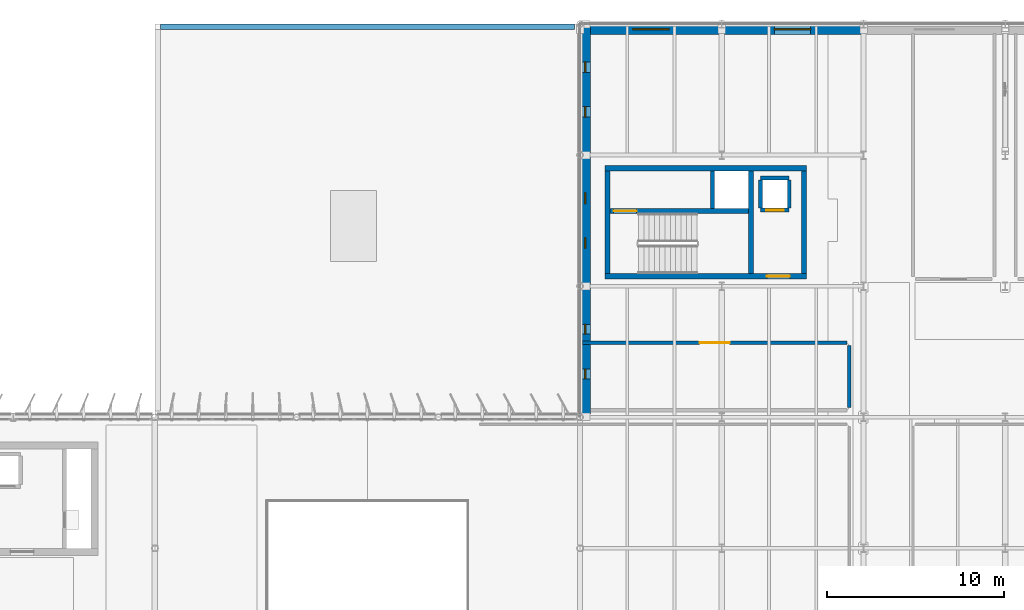
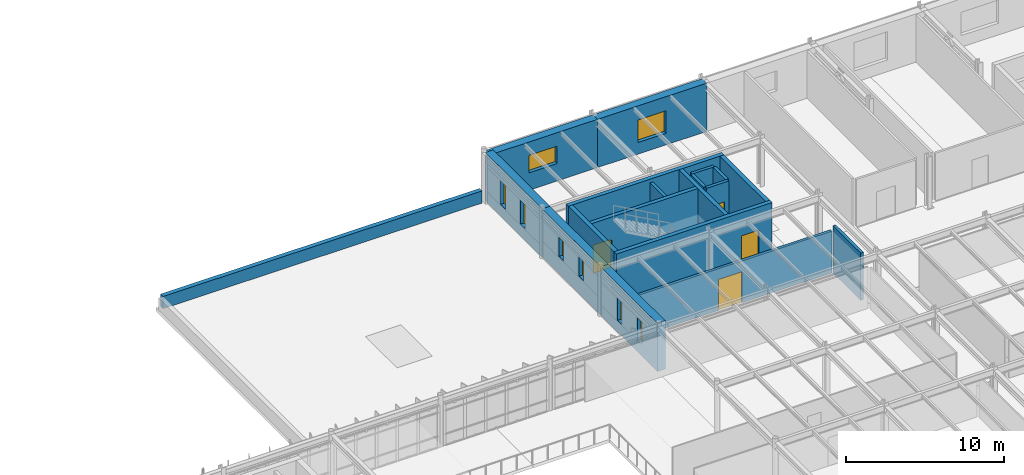
# One storey, part 40 of 56: 19 walls, 8 windows, 4 doors, 12 openings.
"""IFC4 building model written with IfcOpenShell, lengths in metres."""

from ifc_helpers import new_model, si_unit, direction, frame, frame_2d, origin, place, context, subcontext, project, spatial, rectangle, extrude, material, layer, layer_set, type_object, element, fill, save


model = new_model("IFC4")

# Units and contexts
model_context = context("Model", 3, precision=1e-05, world=origin(), true_north=direction((0.0, 1.0)))
body_context = subcontext(model_context, "Body", "Model", "MODEL_VIEW")
ifc_project = project(units=[si_unit("LENGTHUNIT", "METRE"), si_unit("AREAUNIT", "SQUARE_METRE"), si_unit("VOLUMEUNIT", "CUBIC_METRE"), si_unit("PLANEANGLEUNIT", "RADIAN"), si_unit("MASSUNIT", "GRAM", prefix="KILO")], contexts=[model_context])

# Site, building, storey
site_placement = place(None, origin())
site = spatial("IfcSite", under=ifc_project, at=site_placement, CompositionType="ELEMENT")
building_placement = place(site_placement, origin())
building = spatial("IfcBuilding", under=site, at=building_placement, Name="Valkorina Park Police Headquarters", CompositionType="ELEMENT")
storey_placement = place(building_placement, frame((0.0, 0.0, 14.10009765625)))
storey = spatial("IfcBuildingStorey", under=building, at=storey_placement, Name="L04", CompositionType="ELEMENT", Elevation=14.10009765625)

# Wall, opening, door
ifc_material_1 = material(Name="Autoclaved aerated concrete masonry", Category="masonry")
ifc_layer_1 = layer(ifc_material_1, 0.219970703125)
ifc_layer_set_1 = layer_set([ifc_layer_1], Name="Autoclaved aerated concrete masonry")
wall_type_1 = type_object("IfcWallType", Name="WL-CHASE-220-EI60", PredefinedType="PLUMBINGWALL", material=ifc_layer_set_1)
wall_1_placement = place(storey_placement, frame((90.989990234375, 70.889892578125, 0.0), z_axis=(0.0, 0.0, 1.0), x_axis=(1.0, 0.0, 0.0)))
wall_1 = element("IfcWall", 1, at=wall_1_placement, inside=storey, type_object=wall_type_1, Name="Lift LF-08 L04 Shaft Front Wall", PredefinedType="PLUMBINGWALL", context=body_context, shape_type="SweptSolid", body=[
    extrude(rectangle(XDim=1.6201171875, YDim=0.219970703125, at=frame_2d((0.81005859375, 0.0))), origin(), (0.0, 0.0, 1.0), 3.719970703125),
])
opening_1_placement = place(wall_1_placement, frame((0.31005859375, 0.0, 0.0)))
opening_1 = element("IfcOpeningElement", 2, at=opening_1_placement, cuts=wall_1, Name="Opening LD-02", PredefinedType="OPENING", context=body_context, shape_type="SweptSolid", body=[
    extrude(rectangle(XDim=1.0, YDim=2.199951171875, at=frame_2d((0.5, 1.10009765625))), frame((0.0, 0.1201171875, 0.0), z_axis=(0.0, -1.0, 0.0), x_axis=(1.0, 0.0, 0.0)), (0.0, 0.0, 1.0), 0.239990234375),
])
ifc_material_2 = material(Name="Stainless steel EN 1.4404", Category="steel")
ifc_layer_2 = layer(ifc_material_2, 0.050048828125)
ifc_layer_set_2 = layer_set([ifc_layer_2], Name="Stainless steel EN 1.4404")
door_type_1 = type_object("IfcDoorType", Name="DR-LIFT-PAX-1000x2200", OperationType="NOTDEFINED", PredefinedType="DOOR", material=ifc_layer_set_2)
door_1_placement = place(opening_1_placement, origin())
door_1 = element("IfcDoor", 3, at=door_1_placement, inside=storey, type_object=door_type_1, Name="Lift Landing Door LF-08-L04", OperationType="DOUBLE_DOOR_SLIDING", OverallHeight=2.199951171875, OverallWidth=1.0, PredefinedType="DOOR", context=body_context, shape_type="SweptSolid", body=[
    extrude(rectangle(XDim=1.0, YDim=2.199951171875, at=frame_2d((0.5, 1.10009765625))), frame((0.0, 0.02490234375, 0.0), z_axis=(0.0, -1.0, 0.0), x_axis=(1.0, 0.0, 0.0)), (0.0, 0.0, 1.0), 0.050048828125),
])
fill(opening_1, door_1)

# Walls
wall_2_placement = place(storey_placement, frame((90.989990234375, 72.7099609375, 0.0), z_axis=(0.0, 0.0, 1.0), x_axis=(1.0, 0.0, 0.0)))
element("IfcWall", 4, at=wall_2_placement, inside=storey, type_object=wall_type_1, Name="Lift LF-08 L04 Shaft Back Wall", PredefinedType="PLUMBINGWALL", context=body_context, shape_type="SweptSolid", body=[
    extrude(rectangle(XDim=1.6201171875, YDim=0.219970703125, at=frame_2d((0.81005859375, 0.0))), origin(), (0.0, 0.0, 1.0), 3.719970703125),
])
for number, where, z_axis, x_axis, name in (
    (5, (90.989990234375, 71.0, 0.0), (0.0, 0.0, 1.0), (0.0, 1.0, 0.0), "Lift LF-08 L04 Shaft Side Wall W"),
    (6, (92.610107421875, 71.0, 0.0), (0.0, 0.0, 1.0), (0.0, 1.0, 0.0), "Lift LF-08 L04 Shaft Side Wall E"),
):
    element("IfcWall", number, at=place(storey_placement, frame(where, z_axis=z_axis, x_axis=x_axis)), inside=storey, type_object=wall_type_1, Name=name, PredefinedType="PLUMBINGWALL", context=body_context, shape_type="SweptSolid", body=[
        extrude(rectangle(XDim=1.60009765625, YDim=0.219970703125, at=frame_2d((0.800048828125, 0.0))), origin(), (0.0, 0.0, 1.0), 3.719970703125),
    ])
wall_3_placement = place(storey_placement, frame((88.2900390625, 70.97998046875, 0.0), z_axis=(0.0, 0.0, 1.0), x_axis=(0.0, 1.0, 0.0)))
element("IfcWall", 7, at=wall_3_placement, inside=storey, type_object=wall_type_1, Name="Core C6 L04 Riser Shaft West Wall", PredefinedType="PLUMBINGWALL", context=body_context, shape_type="SweptSolid", body=[
    extrude(rectangle(XDim=2.1201171875, YDim=0.219970703125, at=frame_2d((1.06005859375, 0.0))), origin(), (0.0, 0.0, 1.0), 3.719970703125),
])

# Wall, opening, door
ifc_material_3 = material(Name="Concrete C40/50", Category="concrete")
ifc_layer_3 = layer(ifc_material_3, 0.300048828125)
ifc_layer_set_3 = layer_set([ifc_layer_3], Name="Concrete C40/50")
wall_type_2 = type_object("IfcWallType", Name="WL-CORE-300-REI120", PredefinedType="SHEAR", material=ifc_layer_set_3)
wall_4_placement = place(storey_placement, frame((82.199951171875, 67.14990234375, 0.0), z_axis=(0.0, 0.0, 1.0), x_axis=(1.0, 0.0, 0.0)))
wall_4 = element("IfcWall", 8, at=wall_4_placement, inside=storey, type_object=wall_type_2, Name="Core C6 L04 Shear Wall S", PredefinedType="SHEAR", context=body_context, shape_type="SweptSolid", body=[
    extrude(rectangle(XDim=11.400146484375, YDim=0.300048828125, at=frame_2d((5.7001953125, 0.0))), origin(), (0.0, 0.0, 1.0), 3.994873046875),
])
opening_2_placement = place(wall_4_placement, frame((9.14990234375, 0.0, 0.0)))
opening_2 = element("IfcOpeningElement", 9, at=opening_2_placement, cuts=wall_4, Name="Opening FD-03", PredefinedType="OPENING", context=body_context, shape_type="SweptSolid", body=[
    extrude(rectangle(XDim=1.300048828125, YDim=2.199951171875, at=frame_2d((0.64990234375, 1.10009765625))), frame((0.0, 0.16015625, 0.0), z_axis=(0.0, -1.0, 0.0), x_axis=(1.0, 0.0, 0.0)), (0.0, 0.0, 1.0), 0.320068359375),
])
ifc_material_4 = material(Name="Galvanized steel door leaf", Category="steel")
ifc_layer_4 = layer(ifc_material_4, 0.050048828125)
ifc_layer_set_4 = layer_set([ifc_layer_4], Name="Galvanized steel door leaf")
door_type_2 = type_object("IfcDoorType", Name="DR-FIRE-STAIR-1300x2200", OperationType="NOTDEFINED", PredefinedType="DOOR", material=ifc_layer_set_4)
door_2_placement = place(opening_2_placement, origin())
door_2 = element("IfcDoor", 10, at=door_2_placement, inside=storey, type_object=door_type_2, Name="Door D-L04-LBY-C6 (Core C6 Lobby Fire Door)", OperationType="SINGLE_SWING_RIGHT", OverallHeight=2.199951171875, OverallWidth=1.300048828125, PredefinedType="DOOR", context=body_context, shape_type="SweptSolid", body=[
    extrude(rectangle(XDim=1.300048828125, YDim=2.199951171875, at=frame_2d((0.64990234375, 1.10009765625))), frame((0.0, 0.02490234375, 0.0), z_axis=(0.0, -1.0, 0.0), x_axis=(1.0, 0.0, 0.0)), (0.0, 0.0, 1.0), 0.050048828125),
])
fill(opening_2, door_2)

# Walls
wall_5_placement = place(storey_placement, frame((82.199951171875, 73.25, 0.0), z_axis=(0.0, 0.0, 1.0), x_axis=(1.0, 0.0, 0.0)))
element("IfcWall", 11, at=wall_5_placement, inside=storey, type_object=wall_type_2, Name="Core C6 L04 Shear Wall N", PredefinedType="SHEAR", context=body_context, shape_type="SweptSolid", body=[
    extrude(rectangle(XDim=11.400146484375, YDim=0.300048828125, at=frame_2d((5.7001953125, 0.0))), origin(), (0.0, 0.0, 1.0), 3.994873046875),
])
for number, where, z_axis, x_axis, name in (
    (12, (82.35009765625, 67.300048828125, 0.0), (0.0, 0.0, 1.0), (0.0, 1.0, 0.0), "Core C6 L04 Shear Wall W"),
    (13, (93.449951171875, 67.300048828125, 0.0), (0.0, 0.0, 1.0), (0.0, 1.0, 0.0), "Core C6 L04 Shear Wall E"),
):
    element("IfcWall", number, at=place(storey_placement, frame(where, z_axis=z_axis, x_axis=x_axis)), inside=storey, type_object=wall_type_2, Name=name, PredefinedType="SHEAR", context=body_context, shape_type="SweptSolid", body=[
        extrude(rectangle(XDim=5.800048828125, YDim=0.300048828125, at=frame_2d((2.89990234375, 0.0))), origin(), (0.0, 0.0, 1.0), 3.994873046875),
    ])

# Wall, opening, door
ifc_layer_5 = layer(ifc_material_1, 0.199951171875)
ifc_layer_set_5 = layer_set([ifc_layer_5], Name="Autoclaved aerated concrete masonry")
wall_type_3 = type_object("IfcWallType", Name="WL-CORR-200-EI60", PredefinedType="STANDARD", material=ifc_layer_set_5)
wall_6_placement = place(storey_placement, frame((80.93994140625, 63.39990234375, 0.0), z_axis=(0.0, 0.0, 1.0), x_axis=(1.0, 0.0, 0.0)))
wall_6 = element("IfcWall", 14, at=wall_6_placement, inside=storey, type_object=wall_type_3, Name="L04 Interior Partition 0213 (L04-V2-01)", PredefinedType="STANDARD", context=body_context, shape_type="SweptSolid", body=[
    extrude(rectangle(XDim=14.920166015625, YDim=0.199951171875, at=frame_2d((7.4599609375, 0.0))), origin(), (0.0, 0.0, 1.0), 3.22998046875),
])
opening_3_placement = place(wall_6_placement, frame((6.610107421875, 0.0, 0.0)))
opening_3 = element("IfcOpeningElement", 15, at=opening_3_placement, cuts=wall_6, Name="Opening FD-08", PredefinedType="OPENING", context=body_context, shape_type="SweptSolid", body=[
    extrude(rectangle(XDim=1.699951171875, YDim=2.39990234375, at=frame_2d((0.85009765625, 1.199951171875))), frame((0.0, 0.10986328125, 0.0), z_axis=(0.0, -1.0, 0.0), x_axis=(1.0, 0.0, 0.0)), (0.0, 0.0, 1.0), 0.219970703125),
])
ifc_layer_6 = layer(ifc_material_4, 0.050048828125)
ifc_layer_set_6 = layer_set([ifc_layer_6], Name="Galvanized steel door leaf")
door_type_3 = type_object("IfcDoorType", Name="DR-FIRE-PLANT-1700x2400", OperationType="NOTDEFINED", PredefinedType="DOOR", material=ifc_layer_set_6)
door_3_placement = place(opening_3_placement, origin())
door_3 = element("IfcDoor", 16, at=door_3_placement, inside=storey, type_object=door_type_3, Name="Door D-L04-I100 (L04-V2-01)", OperationType="DOUBLE_DOOR_SINGLE_SWING", OverallHeight=2.39990234375, OverallWidth=1.699951171875, PredefinedType="DOOR", context=body_context, shape_type="SweptSolid", body=[
    extrude(rectangle(XDim=1.699951171875, YDim=2.39990234375, at=frame_2d((0.85009765625, 1.199951171875))), frame((0.0, 0.02490234375, 0.0), z_axis=(0.0, -1.0, 0.0), x_axis=(1.0, 0.0, 0.0)), (0.0, 0.0, 1.0), 0.050048828125),
])
fill(opening_3, door_3)

# Wall
wall_7_placement = place(storey_placement, frame((96.0, 59.739990234375, 0.0), z_axis=(0.0, 0.0, 1.0), x_axis=(0.0, 1.0, 0.0)))
element("IfcWall", 17, at=wall_7_placement, inside=storey, type_object=wall_type_3, Name="L04 Interior Partition 0214 (L04-V2-01)", PredefinedType="STANDARD", context=body_context, shape_type="SweptSolid", body=[
    extrude(rectangle(XDim=3.52001953125, YDim=0.199951171875, at=frame_2d((1.760009765625, 0.0))), origin(), (0.0, 0.0, 1.0), 3.669921875),
])

# Wall, openings, windows
ifc_material_5 = material(Name="Concrete C35/45", Category="concrete")
ifc_layer_7 = layer(ifc_material_5, 0.580078125)
ifc_layer_set_7 = layer_set([ifc_layer_7], Name="Concrete C35/45")
wall_type_4 = type_object("IfcWallType", Name="WL-EXT-BOARD-580", PredefinedType="STANDARD", material=ifc_layer_set_7)
wall_8_placement = place(storey_placement, frame((81.090087890625, 59.3876953125, 0.0), z_axis=(0.0, 0.0, 1.0), x_axis=(0.0, 1.0, 0.0)))
wall_8 = element("IfcWall", 18, at=wall_8_placement, inside=storey, type_object=wall_type_4, Name="L04 Architectural Concrete Exterior Wall 0235", PredefinedType="STANDARD", context=body_context, shape_type="SweptSolid", body=[
    extrude(rectangle(XDim=7.21240234375, YDim=0.580078125, at=frame_2d((3.606201171875, 0.0))), origin(), (0.0, 0.0, 1.0), 3.739990234375),
])
opening_4_placement = place(wall_8_placement, frame((1.972900390625, 0.0, 0.89990234375)))
opening_4 = element("IfcOpeningElement", 19, at=opening_4_placement, cuts=wall_8, Name="Opening WN-02", PredefinedType="OPENING", context=body_context, shape_type="SweptSolid", body=[
    extrude(rectangle(XDim=0.550048828125, YDim=1.75, at=frame_2d((0.27490234375, 0.875))), frame((0.0, 0.300048828125, 0.0), z_axis=(0.0, -1.0, 0.0), x_axis=(1.0, 0.0, 0.0)), (0.0, 0.0, 1.0), 0.60009765625),
])
opening_5_placement = place(wall_8_placement, frame((4.501708984375, 0.0, 0.89990234375)))
opening_5 = element("IfcOpeningElement", 20, at=opening_5_placement, cuts=wall_8, Name="Opening WN-02", PredefinedType="OPENING", context=body_context, shape_type="SweptSolid", body=[
    extrude(rectangle(XDim=0.550048828125, YDim=1.75, at=frame_2d((0.27490234375, 0.875))), frame((0.0, 0.300048828125, 0.0), z_axis=(0.0, -1.0, 0.0), x_axis=(1.0, 0.0, 0.0)), (0.0, 0.0, 1.0), 0.60009765625),
])
ifc_material_6 = material(Name="Triple low-E insulated glazing", Category="glass")
ifc_layer_8 = layer(ifc_material_6, 0.06005859375)
ifc_layer_set_8 = layer_set([ifc_layer_8], Name="Triple low-E insulated glazing")
window_type_1 = type_object("IfcWindowType", Name="WN-SLOT-550x1750", PartitioningType="SINGLE_PANEL", PredefinedType="WINDOW", material=ifc_layer_set_8)
window_1_placement = place(opening_4_placement, origin())
window_1 = element("IfcWindow", 21, at=window_1_placement, inside=storey, type_object=window_type_1, Name="Window L04-0399", OverallHeight=1.75, OverallWidth=0.550048828125, PartitioningType="SINGLE_PANEL", PredefinedType="WINDOW", context=body_context, shape_type="SweptSolid", body=[
    extrude(rectangle(XDim=0.550048828125, YDim=1.75, at=frame_2d((0.27490234375, 0.875))), frame((0.0, 0.030029296875, 0.0), z_axis=(0.0, -1.0, 0.0), x_axis=(1.0, 0.0, 0.0)), (0.0, 0.0, 1.0), 0.06005859375),
])
fill(opening_4, window_1)
window_2_placement = place(opening_5_placement, origin())
window_2 = element("IfcWindow", 22, at=window_2_placement, inside=storey, type_object=window_type_1, Name="Window L04-0400", OverallHeight=1.75, OverallWidth=0.550048828125, PartitioningType="SINGLE_PANEL", PredefinedType="WINDOW", context=body_context, shape_type="SweptSolid", body=[
    extrude(rectangle(XDim=0.550048828125, YDim=1.75, at=frame_2d((0.27490234375, 0.875))), frame((0.0, 0.030029296875, 0.0), z_axis=(0.0, -1.0, 0.0), x_axis=(1.0, 0.0, 0.0)), (0.0, 0.0, 1.0), 0.06005859375),
])
fill(opening_5, window_2)

wall_9_placement = place(storey_placement, frame((81.090087890625, 66.60009765625, 0.0), z_axis=(0.0, 0.0, 1.0), x_axis=(0.0, 1.0, 0.0)))
wall_9 = element("IfcWall", 23, at=wall_9_placement, inside=storey, type_object=wall_type_4, Name="L04 Architectural Concrete Exterior Wall 0236", PredefinedType="STANDARD", context=body_context, shape_type="SweptSolid", body=[
    extrude(rectangle(XDim=7.39990234375, YDim=0.580078125, at=frame_2d((3.699951171875, 0.0))), origin(), (0.0, 0.0, 1.0), 3.739990234375),
])
opening_6_placement = place(wall_9_placement, frame((2.135498046875, 0.0, 1.35009765625)))
opening_6 = element("IfcOpeningElement", 24, at=opening_6_placement, cuts=wall_9, Name="Opening WN-03", PredefinedType="OPENING", context=body_context, shape_type="SweptSolid", body=[
    extrude(rectangle(XDim=0.60009765625, YDim=1.5, at=frame_2d((0.300048828125, 0.75))), frame((0.0, 0.300048828125, 0.0), z_axis=(0.0, -1.0, 0.0), x_axis=(1.0, 0.0, 0.0)), (0.0, 0.0, 1.0), 0.60009765625),
])
opening_7_placement = place(wall_9_placement, frame((4.664306640625, 0.0, 1.35009765625)))
opening_7 = element("IfcOpeningElement", 25, at=opening_7_placement, cuts=wall_9, Name="Opening WN-03", PredefinedType="OPENING", context=body_context, shape_type="SweptSolid", body=[
    extrude(rectangle(XDim=0.60009765625, YDim=1.5, at=frame_2d((0.300048828125, 0.75))), frame((0.0, 0.300048828125, 0.0), z_axis=(0.0, -1.0, 0.0), x_axis=(1.0, 0.0, 0.0)), (0.0, 0.0, 1.0), 0.60009765625),
])
ifc_layer_9 = layer(ifc_material_6, 0.06005859375)
ifc_layer_set_9 = layer_set([ifc_layer_9], Name="Triple low-E insulated glazing")
window_type_2 = type_object("IfcWindowType", Name="WN-SLOT-600x1500", PartitioningType="SINGLE_PANEL", PredefinedType="WINDOW", material=ifc_layer_set_9)
window_3_placement = place(opening_6_placement, origin())
window_3 = element("IfcWindow", 26, at=window_3_placement, inside=storey, type_object=window_type_2, Name="Window L04-0401", OverallHeight=1.5, OverallWidth=0.60009765625, PartitioningType="SINGLE_PANEL", PredefinedType="WINDOW", context=body_context, shape_type="SweptSolid", body=[
    extrude(rectangle(XDim=0.60009765625, YDim=1.5, at=frame_2d((0.300048828125, 0.75))), frame((0.0, 0.030029296875, 0.0), z_axis=(0.0, -1.0, 0.0), x_axis=(1.0, 0.0, 0.0)), (0.0, 0.0, 1.0), 0.06005859375),
])
fill(opening_6, window_3)
window_4_placement = place(opening_7_placement, origin())
window_4 = element("IfcWindow", 27, at=window_4_placement, inside=storey, type_object=window_type_2, Name="Window L04-0402", OverallHeight=1.5, OverallWidth=0.60009765625, PartitioningType="SINGLE_PANEL", PredefinedType="WINDOW", context=body_context, shape_type="SweptSolid", body=[
    extrude(rectangle(XDim=0.60009765625, YDim=1.5, at=frame_2d((0.300048828125, 0.75))), frame((0.0, 0.030029296875, 0.0), z_axis=(0.0, -1.0, 0.0), x_axis=(1.0, 0.0, 0.0)), (0.0, 0.0, 1.0), 0.06005859375),
])
fill(opening_7, window_4)

wall_10_placement = place(storey_placement, frame((81.090087890625, 74.0, 0.0), z_axis=(0.0, 0.0, 1.0), x_axis=(0.0, 1.0, 0.0)))
wall_10 = element("IfcWall", 28, at=wall_10_placement, inside=storey, type_object=wall_type_4, Name="L04 Architectural Concrete Exterior Wall 0237", PredefinedType="STANDARD", context=body_context, shape_type="SweptSolid", body=[
    extrude(rectangle(XDim=7.212158203125, YDim=0.580078125, at=frame_2d((3.60595703125, 0.0))), origin(), (0.0, 0.0, 1.0), 3.739990234375),
])
opening_8_placement = place(wall_10_placement, frame((2.135498046875, 0.0, 0.89990234375)))
opening_8 = element("IfcOpeningElement", 29, at=opening_8_placement, cuts=wall_10, Name="Opening WN-04", PredefinedType="OPENING", context=body_context, shape_type="SweptSolid", body=[
    extrude(rectangle(XDim=0.60009765625, YDim=1.85009765625, at=frame_2d((0.300048828125, 0.925048828125))), frame((0.0, 0.300048828125, 0.0), z_axis=(0.0, -1.0, 0.0), x_axis=(1.0, 0.0, 0.0)), (0.0, 0.0, 1.0), 0.60009765625),
])
opening_9_placement = place(wall_10_placement, frame((4.664306640625, 0.0, 0.89990234375)))
opening_9 = element("IfcOpeningElement", 30, at=opening_9_placement, cuts=wall_10, Name="Opening WN-04", PredefinedType="OPENING", context=body_context, shape_type="SweptSolid", body=[
    extrude(rectangle(XDim=0.60009765625, YDim=1.85009765625, at=frame_2d((0.300048828125, 0.925048828125))), frame((0.0, 0.300048828125, 0.0), z_axis=(0.0, -1.0, 0.0), x_axis=(1.0, 0.0, 0.0)), (0.0, 0.0, 1.0), 0.60009765625),
])
ifc_layer_10 = layer(ifc_material_6, 0.06005859375)
ifc_layer_set_10 = layer_set([ifc_layer_10], Name="Triple low-E insulated glazing")
window_type_3 = type_object("IfcWindowType", Name="WN-SLOT-600x1850", PartitioningType="SINGLE_PANEL", PredefinedType="WINDOW", material=ifc_layer_set_10)
window_5_placement = place(opening_8_placement, origin())
window_5 = element("IfcWindow", 31, at=window_5_placement, inside=storey, type_object=window_type_3, Name="Window L04-0403", OverallHeight=1.85009765625, OverallWidth=0.60009765625, PartitioningType="SINGLE_PANEL", PredefinedType="WINDOW", context=body_context, shape_type="SweptSolid", body=[
    extrude(rectangle(XDim=0.60009765625, YDim=1.85009765625, at=frame_2d((0.300048828125, 0.925048828125))), frame((0.0, 0.030029296875, 0.0), z_axis=(0.0, -1.0, 0.0), x_axis=(1.0, 0.0, 0.0)), (0.0, 0.0, 1.0), 0.06005859375),
])
fill(opening_8, window_5)
window_6_placement = place(opening_9_placement, origin())
window_6 = element("IfcWindow", 32, at=window_6_placement, inside=storey, type_object=window_type_3, Name="Window L04-0404", OverallHeight=1.85009765625, OverallWidth=0.60009765625, PartitioningType="SINGLE_PANEL", PredefinedType="WINDOW", context=body_context, shape_type="SweptSolid", body=[
    extrude(rectangle(XDim=0.60009765625, YDim=1.85009765625, at=frame_2d((0.300048828125, 0.925048828125))), frame((0.0, 0.030029296875, 0.0), z_axis=(0.0, -1.0, 0.0), x_axis=(1.0, 0.0, 0.0)), (0.0, 0.0, 1.0), 0.06005859375),
])
fill(opening_9, window_6)

# Wall, opening, window
wall_11_placement = place(storey_placement, frame((80.98779296875, 81.110107421875, 0.0), z_axis=(0.0, 0.0, 1.0), x_axis=(1.0, 0.0, 0.0)))
wall_11 = element("IfcWall", 33, at=wall_11_placement, inside=storey, type_object=wall_type_4, Name="L04 Architectural Concrete Exterior Wall 0238", PredefinedType="STANDARD", context=body_context, shape_type="SweptSolid", body=[
    extrude(rectangle(XDim=7.812255859375, YDim=0.580078125, at=frame_2d((3.90625, 0.0))), origin(), (0.0, 0.0, 1.0), 3.739990234375),
])
opening_10_placement = place(wall_11_placement, frame((2.801025390625, 0.0, 1.35009765625)))
opening_10 = element("IfcOpeningElement", 34, at=opening_10_placement, cuts=wall_11, Name="Opening WN-31", PredefinedType="OPENING", context=body_context, shape_type="SweptSolid", body=[
    extrude(rectangle(XDim=2.050048828125, YDim=1.35009765625, at=frame_2d((1.02490234375, 0.675048828125))), frame((0.0, 0.300048828125, 0.0), z_axis=(0.0, -1.0, 0.0), x_axis=(1.0, 0.0, 0.0)), (0.0, 0.0, 1.0), 0.60009765625),
])
ifc_layer_11 = layer(ifc_material_6, 0.06005859375)
ifc_layer_set_11 = layer_set([ifc_layer_11], Name="Triple low-E insulated glazing")
window_type_4 = type_object("IfcWindowType", Name="WN-GYM-2050x1350", PartitioningType="SINGLE_PANEL", PredefinedType="WINDOW", material=ifc_layer_set_11)
window_7_placement = place(opening_10_placement, origin())
window_7 = element("IfcWindow", 35, at=window_7_placement, inside=storey, type_object=window_type_4, Name="Window L04-0405", OverallHeight=1.35009765625, OverallWidth=2.050048828125, PartitioningType="SINGLE_PANEL", PredefinedType="WINDOW", context=body_context, shape_type="SweptSolid", body=[
    extrude(rectangle(XDim=2.050048828125, YDim=1.35009765625, at=frame_2d((1.02490234375, 0.675048828125))), frame((0.0, 0.030029296875, 0.0), z_axis=(0.0, -1.0, 0.0), x_axis=(1.0, 0.0, 0.0)), (0.0, 0.0, 1.0), 0.06005859375),
])
fill(opening_10, window_7)

wall_12_placement = place(storey_placement, frame((88.800048828125, 81.110107421875, 0.0), z_axis=(0.0, 0.0, 1.0), x_axis=(1.0, 0.0, 0.0)))
wall_12 = element("IfcWall", 36, at=wall_12_placement, inside=storey, type_object=wall_type_4, Name="L04 Architectural Concrete Exterior Wall 0239", PredefinedType="STANDARD", context=body_context, shape_type="SweptSolid", body=[
    extrude(rectangle(XDim=8.0, YDim=0.580078125, at=frame_2d((4.0, 0.0))), origin(), (0.0, 0.0, 1.0), 3.739990234375),
])
opening_11_placement = place(wall_12_placement, frame((2.97509765625, 0.0, 0.89990234375)))
opening_11 = element("IfcOpeningElement", 37, at=opening_11_placement, cuts=wall_12, Name="Opening WN-32", PredefinedType="OPENING", context=body_context, shape_type="SweptSolid", body=[
    extrude(rectangle(XDim=2.050048828125, YDim=1.75, at=frame_2d((1.02490234375, 0.875))), frame((0.0, 0.300048828125, 0.0), z_axis=(0.0, -1.0, 0.0), x_axis=(1.0, 0.0, 0.0)), (0.0, 0.0, 1.0), 0.60009765625),
])
ifc_layer_12 = layer(ifc_material_6, 0.06005859375)
ifc_layer_set_12 = layer_set([ifc_layer_12], Name="Triple low-E insulated glazing")
window_type_5 = type_object("IfcWindowType", Name="WN-GYM-2050x1750", PartitioningType="SINGLE_PANEL", PredefinedType="WINDOW", material=ifc_layer_set_12)
window_8_placement = place(opening_11_placement, origin())
window_8 = element("IfcWindow", 38, at=window_8_placement, inside=storey, type_object=window_type_5, Name="Window L04-0406", OverallHeight=1.75, OverallWidth=2.050048828125, PartitioningType="SINGLE_PANEL", PredefinedType="WINDOW", context=body_context, shape_type="SweptSolid", body=[
    extrude(rectangle(XDim=2.050048828125, YDim=1.75, at=frame_2d((1.02490234375, 0.875))), frame((0.0, 0.030029296875, 0.0), z_axis=(0.0, -1.0, 0.0), x_axis=(1.0, 0.0, 0.0)), (0.0, 0.0, 1.0), 0.06005859375),
])
fill(opening_11, window_8)

# Walls
ifc_material_7 = material(Name="Precast concrete C40/50", Category="concrete")
ifc_layer_13 = layer(ifc_material_7, 0.320068359375)
ifc_layer_set_13 = layer_set([ifc_layer_13], Name="Precast concrete C40/50")
wall_type_5 = type_object("IfcWallType", Name="WL-PARAPET-320", PredefinedType="PARAPET", material=ifc_layer_set_13)
wall_13_placement = place(storey_placement, frame((57.1201171875, 81.239990234375, 0.0), z_axis=(0.0, 0.0, 1.0), x_axis=(1.0, 0.0, 0.0)))
element("IfcWall", 39, at=wall_13_placement, inside=storey, type_object=wall_type_5, Name="L04 Precast Roof Parapet 9", PredefinedType="PARAPET", context=body_context, shape_type="SweptSolid", body=[
    extrude(rectangle(XDim=23.35986328125, YDim=0.320068359375, at=frame_2d((11.679931640625, 0.0))), origin(), (0.0, 0.0, 1.0), 0.949951171875),
])
ifc_layer_14 = layer(ifc_material_3, 0.280029296875)
ifc_layer_set_14 = layer_set([ifc_layer_14], Name="Concrete C40/50")
wall_type_6 = type_object("IfcWallType", Name="WL-STAIR-280-REI120", PredefinedType="SHEAR", material=ifc_layer_set_14)
wall_14_placement = place(storey_placement, frame((90.43994140625, 67.300048828125, 0.0), z_axis=(0.0, 0.0, 1.0), x_axis=(0.0, 1.0, 0.0)))
element("IfcWall", 40, at=wall_14_placement, inside=storey, type_object=wall_type_6, Name="Core C6 L04 Shear Wall DIV", PredefinedType="SHEAR", context=body_context, shape_type="SweptSolid", body=[
    extrude(rectangle(XDim=5.800048828125, YDim=0.280029296875, at=frame_2d((2.89990234375, 0.0))), origin(), (0.0, 0.0, 1.0), 3.994873046875),
])

# Wall, opening, door
wall_15_placement = place(storey_placement, frame((82.5, 70.840087890625, 0.0), z_axis=(0.0, 0.0, 1.0), x_axis=(1.0, 0.0, 0.0)))
wall_15 = element("IfcWall", 41, at=wall_15_placement, inside=storey, type_object=wall_type_6, Name="Core C6 L04 Shear Wall SIDE", PredefinedType="SHEAR", context=body_context, shape_type="SweptSolid", body=[
    extrude(rectangle(XDim=7.800048828125, YDim=0.280029296875, at=frame_2d((3.89990234375, 0.0))), origin(), (0.0, 0.0, 1.0), 3.994873046875),
])
opening_12_placement = place(wall_15_placement, frame((0.199951171875, 0.0, 0.0)))
opening_12 = element("IfcOpeningElement", 42, at=opening_12_placement, cuts=wall_15, Name="Opening FD-03", PredefinedType="OPENING", context=body_context, shape_type="SweptSolid", body=[
    extrude(rectangle(XDim=1.300048828125, YDim=2.199951171875, at=frame_2d((0.64990234375, 1.10009765625))), frame((0.0, 0.14990234375, 0.0), z_axis=(0.0, -1.0, 0.0), x_axis=(1.0, 0.0, 0.0)), (0.0, 0.0, 1.0), 0.300048828125),
])
door_4_placement = place(opening_12_placement, origin())
door_4 = element("IfcDoor", 43, at=door_4_placement, inside=storey, type_object=door_type_2, Name="Door D-L04-C171 (ST-06 Stair Fire Door)", OperationType="SINGLE_SWING_RIGHT", OverallHeight=2.199951171875, OverallWidth=1.300048828125, PredefinedType="DOOR", context=body_context, shape_type="SweptSolid", body=[
    extrude(rectangle(XDim=1.300048828125, YDim=2.199951171875, at=frame_2d((0.64990234375, 1.10009765625))), frame((0.0, 0.02490234375, 0.0), z_axis=(0.0, -1.0, 0.0), x_axis=(1.0, 0.0, 0.0)), (0.0, 0.0, 1.0), 0.050048828125),
])
fill(opening_12, door_4)

save(model, "model.ifc")
